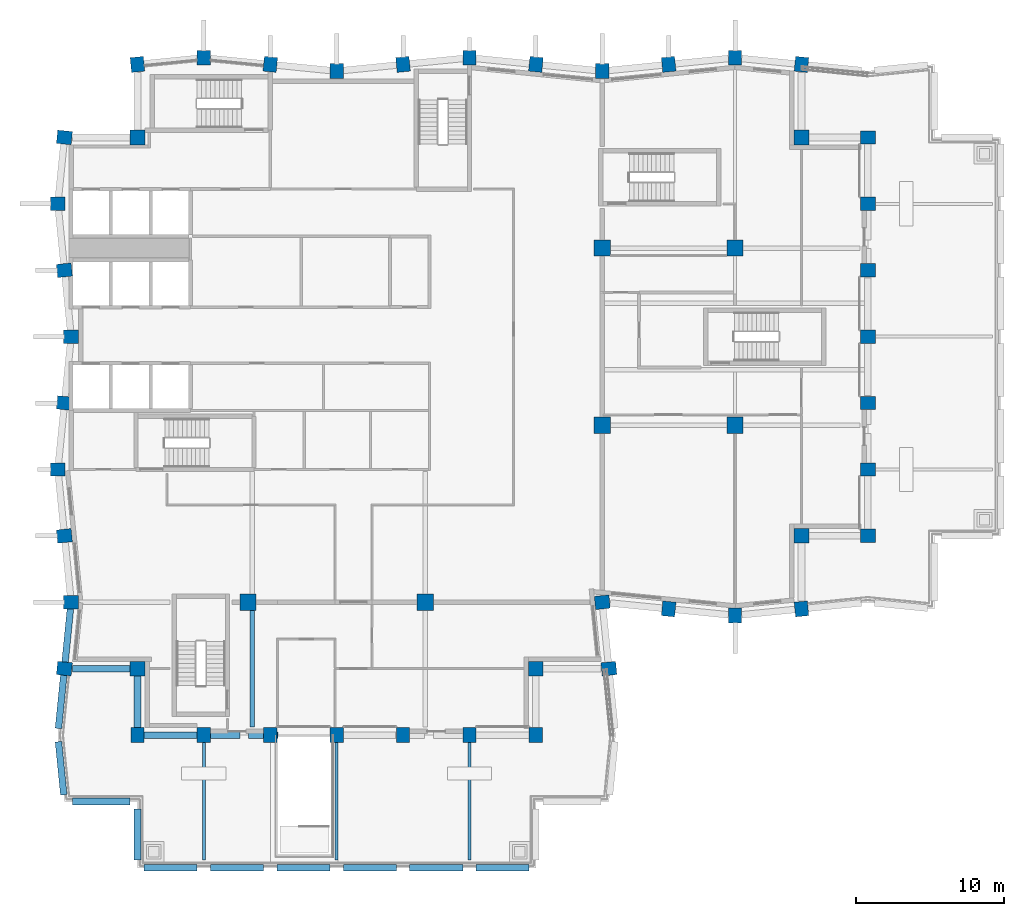
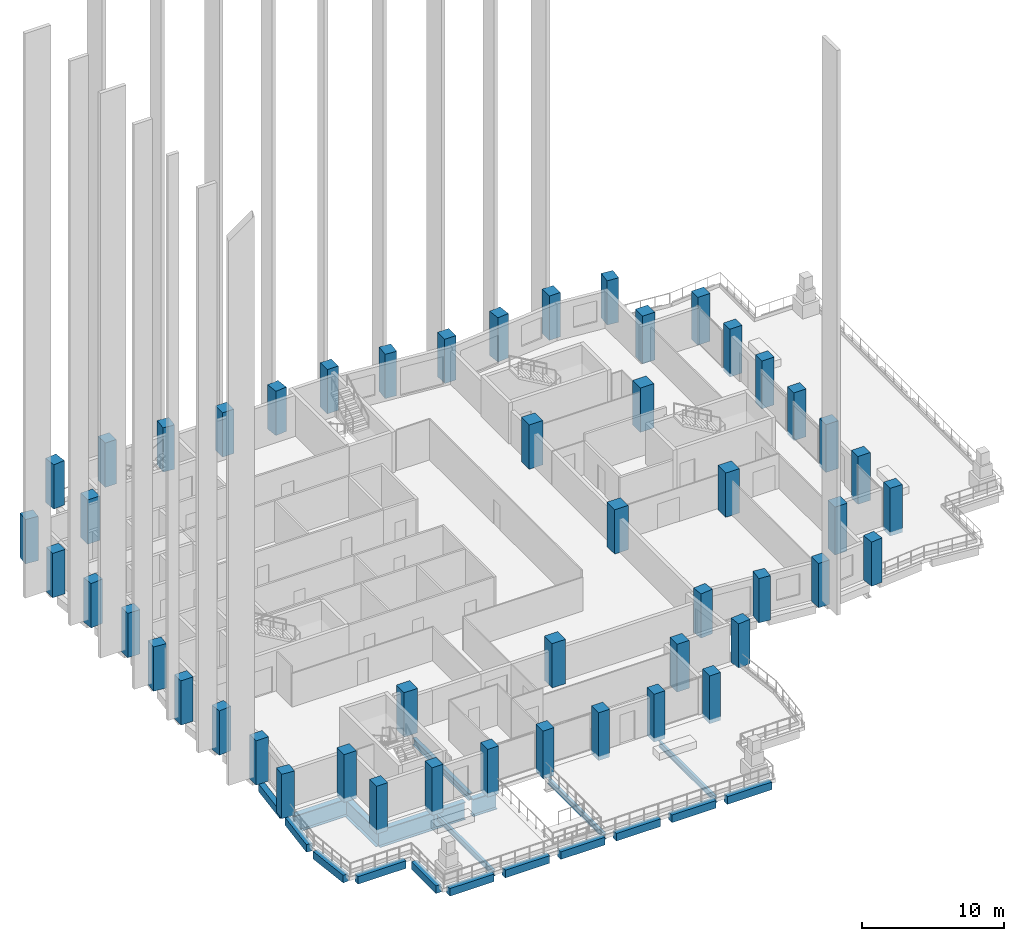
# One storey, part 1 of 19: 50 columns, 20 beams.
"""IFC4 building model written with IfcOpenShell, lengths in metres."""

from ifc_helpers import new_model, si_unit, direction, frame, origin, origin_2d, place, context, subcontext, project, spatial, rectangle, i_section, extrude, material, material_profile, profile_set, type_object, element, save


model = new_model("IFC4")

# Units and contexts
model_context = context("Model", 3, precision=1e-05, world=origin(), true_north=direction((0.0, 1.0)))
body_context = subcontext(model_context, "Body", "Model", "MODEL_VIEW")
ifc_project = project(units=[si_unit("LENGTHUNIT", "METRE"), si_unit("AREAUNIT", "SQUARE_METRE"), si_unit("VOLUMEUNIT", "CUBIC_METRE"), si_unit("PLANEANGLEUNIT", "RADIAN"), si_unit("MASSUNIT", "GRAM", prefix="KILO")], contexts=[model_context])

# Site, building, storey
site_placement = place(None, origin())
site = spatial("IfcSite", under=ifc_project, at=site_placement, CompositionType="ELEMENT")
building_placement = place(site_placement, origin())
building = spatial("IfcBuilding", under=site, at=building_placement, Name="Brondeck Convention Tower", CompositionType="ELEMENT")
storey_placement = place(building_placement, frame((0.0, 0.0, 198.800048828125)))
storey = spatial("IfcBuildingStorey", under=building, at=storey_placement, Name="L48", CompositionType="ELEMENT", Elevation=198.800048828125)

# Columns
ifc_material_1 = material(Name="Concrete C50/60", Category="concrete")
ifc_material_profile_1 = material_profile(ifc_material_1, rectangle(XDim=1.0, YDim=1.0, at=origin_2d()), Name="Corner column 1000x1000 Concrete C50/60")
ifc_profile_set_1 = profile_set([ifc_material_profile_1], Name="Concrete C50/60")
column_type_1 = type_object("IfcColumnType", Name="Corner column 1000x1000 Concrete C50/60", PredefinedType="COLUMN", material=ifc_profile_set_1)
for number, where, z_axis, x_axis, name in (
    (1, (4.5, 22.5, -0.300048828125), (0.0, 0.0, 1.0), (1.0, 0.0, 0.0), "STR-COL-L48-NC-SWB18"),
    (2, (31.5, 22.5, -0.300048828125), (0.0, 0.0, 1.0), (1.0, 0.0, 0.0), "STR-COL-L48-NC-SEB18"),
    (3, (49.5, 31.5, -0.300048828125), (0.0, 0.0, 1.0), (1.0, 0.0, 0.0), "STR-COL-L48-NC-SEA54"),
    (4, (49.5, 58.5, -0.300048828125), (0.0, 0.0, 1.0), (1.0, 0.0, 0.0), "STR-COL-L48-NC-NEA54"),
):
    element("IfcColumn", number, at=place(storey_placement, frame(where, z_axis=z_axis, x_axis=x_axis)), inside=storey, type_object=column_type_1, Name=name, PredefinedType="COLUMN", context=body_context, shape_type="SweptSolid", body=[
        extrude(rectangle(XDim=1.0, YDim=1.0, at=origin_2d()), origin(), (0.0, 0.0, 1.0), 4.10009765625),
    ])
column_placement = place(storey_placement, frame((4.5, 58.5, 0.0), z_axis=(0.0, 0.0, 1.0), x_axis=(1.0, 0.0, 0.0)))
element("IfcColumn", 5, at=column_placement, inside=storey, type_object=column_type_1, Name="STR-COL-L48-NC-NW", PredefinedType="COLUMN", context=body_context, shape_type="SweptSolid", body=[
    extrude(rectangle(XDim=1.0, YDim=1.0, at=origin_2d()), origin(), (0.0, 0.0, 1.0), 3.800048828125),
])
ifc_material_profile_2 = material_profile(ifc_material_1, rectangle(XDim=1.10009765625, YDim=1.10009765625, at=origin_2d()), Name="Interior column 1100x1100 Concrete C50/60")
ifc_profile_set_2 = profile_set([ifc_material_profile_2], Name="Concrete C50/60")
column_type_2 = type_object("IfcColumnType", Name="Interior column 1100x1100 Concrete C50/60", PredefinedType="COLUMN", material=ifc_profile_set_2)
for number, where, z_axis, x_axis, name in (
    (6, (12.0, 27.0, 0.0), (0.0, 0.0, 1.0), (1.0, 0.0, 0.0), "STR-COL-L48-IC-03"),
    (7, (24.0, 27.0, 0.0), (0.0, 0.0, 1.0), (1.0, 0.0, 0.0), "STR-COL-L48-IC-06"),
    (8, (36.0, 39.0, 0.0), (0.0, 0.0, 1.0), (1.0, 0.0, 0.0), "STR-COL-L48-IC-07"),
    (9, (36.0, 51.0, 0.0), (0.0, 0.0, 1.0), (1.0, 0.0, 0.0), "STR-COL-L48-IC-08"),
    (10, (45.0, 39.0, 0.0), (0.0, 0.0, 1.0), (1.0, 0.0, 0.0), "STR-COL-L48-IC-09"),
    (11, (45.0, 51.0, 0.0), (0.0, 0.0, 1.0), (1.0, 0.0, 0.0), "STR-COL-L48-IC-10"),
):
    element("IfcColumn", number, at=place(storey_placement, frame(where, z_axis=z_axis, x_axis=x_axis)), inside=storey, type_object=column_type_2, Name=name, PredefinedType="COLUMN", context=body_context, shape_type="SweptSolid", body=[
        extrude(rectangle(XDim=1.10009765625, YDim=1.10009765625, at=origin_2d()), origin(), (0.0, 0.0, 1.0), 3.800048828125),
    ])
ifc_material_profile_3 = material_profile(ifc_material_1, rectangle(XDim=0.89990234375, YDim=1.0, at=origin_2d()), Name="Perimeter pier 900x1000 Concrete C50/60")
ifc_profile_set_3 = profile_set([ifc_material_profile_3], Name="Concrete C50/60")
column_type_3 = type_object("IfcColumnType", Name="Perimeter pier 900x1000 Concrete C50/60", PredefinedType="COLUMN", material=ifc_profile_set_3)
for number, where, z_axis, x_axis, name in (
    (12, (4.5, 18.0, -0.300048828125), (0.0, 0.0, 1.0), (1.0, 0.0, 0.0), "STR-COL-L48-PC-B-S18-01"),
    (13, (9.0, 18.0, -0.300048828125), (0.0, 0.0, 1.0), (1.0, 0.0, 0.0), "STR-COL-L48-PC-B-S18-02"),
    (14, (13.5, 18.0, -0.300048828125), (0.0, 0.0, 1.0), (1.0, 0.0, 0.0), "STR-COL-L48-PC-B-S18-03"),
    (15, (18.0, 18.0, -0.300048828125), (0.0, 0.0, 1.0), (1.0, 0.0, 0.0), "STR-COL-L48-PC-B-S18-04"),
    (16, (22.5, 18.0, -0.300048828125), (0.0, 0.0, 1.0), (1.0, 0.0, 0.0), "STR-COL-L48-PC-B-S18-05"),
    (17, (27.0, 18.0, -0.300048828125), (0.0, 0.0, 1.0), (1.0, 0.0, 0.0), "STR-COL-L48-PC-B-S18-06"),
    (18, (31.5, 18.0, -0.300048828125), (0.0, 0.0, 1.0), (1.0, 0.0, 0.0), "STR-COL-L48-PC-B-S18-07"),
):
    element("IfcColumn", number, at=place(storey_placement, frame(where, z_axis=z_axis, x_axis=x_axis)), inside=storey, type_object=column_type_3, Name=name, PredefinedType="COLUMN", context=body_context, shape_type="SweptSolid", body=[
        extrude(rectangle(XDim=0.89990234375, YDim=1.0, at=origin_2d()), origin(), (0.0, 0.0, 1.0), 4.10009765625),
    ])
for number, where, z_axis, x_axis, name in (
    (19, (36.449951171875, 22.5, 0.0), (0.0, 0.0, 1.0), (-0.0995038382, 0.995037178292, 0.0), "STR-COL-L48-PC-B-E-01"),
    (20, (36.0, 27.0, 0.0), (0.0, 0.0, 1.0), (-0.0995038382, 0.995037178292, 0.0), "STR-COL-L48-PC-B-E-00"),
    (21, (40.5, 26.550048828125, 0.0), (0.0, 0.0, 1.0), (0.995037178292, -0.0995038382, 0.0), "STR-COL-L48-PC-A-S-01"),
    (22, (45.0, 26.10009765625, 0.0), (0.0, 0.0, 1.0), (1.0, 0.0, 0.0), "STR-COL-L48-PC-A-S-02"),
    (23, (49.5, 26.550048828125, 0.0), (0.0, 0.0, 1.0), (0.995037178292, 0.0995038382, 0.0), "STR-COL-L48-PC-A-S-03"),
):
    element("IfcColumn", number, at=place(storey_placement, frame(where, z_axis=z_axis, x_axis=x_axis)), inside=storey, type_object=column_type_3, Name=name, PredefinedType="COLUMN", context=body_context, shape_type="SweptSolid", body=[
        extrude(rectangle(XDim=0.89990234375, YDim=1.0, at=origin_2d()), origin(), (0.0, 0.0, 1.0), 3.800048828125),
    ])
for number, where, z_axis, x_axis, name in (
    (24, (54.0, 31.5, -0.300048828125), (0.0, 0.0, 1.0), (0.0, 1.0, 0.0), "STR-COL-L48-PC-A-E54-01"),
    (25, (54.0, 36.0, -0.300048828125), (0.0, 0.0, 1.0), (0.0, 1.0, 0.0), "STR-COL-L48-PC-A-E54-02"),
    (26, (54.0, 40.5, -0.300048828125), (0.0, 0.0, 1.0), (0.0, 1.0, 0.0), "STR-COL-L48-PC-A-E54-03"),
    (27, (54.0, 45.0, -0.300048828125), (0.0, 0.0, 1.0), (0.0, 1.0, 0.0), "STR-COL-L48-PC-A-E54-04"),
    (28, (54.0, 49.5, -0.300048828125), (0.0, 0.0, 1.0), (0.0, 1.0, 0.0), "STR-COL-L48-PC-A-E54-05"),
    (29, (54.0, 54.0, -0.300048828125), (0.0, 0.0, 1.0), (0.0, 1.0, 0.0), "STR-COL-L48-PC-A-E54-06"),
    (30, (54.0, 58.5, -0.300048828125), (0.0, 0.0, 1.0), (0.0, 1.0, 0.0), "STR-COL-L48-PC-A-E54-07"),
):
    element("IfcColumn", number, at=place(storey_placement, frame(where, z_axis=z_axis, x_axis=x_axis)), inside=storey, type_object=column_type_3, Name=name, PredefinedType="COLUMN", context=body_context, shape_type="SweptSolid", body=[
        extrude(rectangle(XDim=0.89990234375, YDim=1.0, at=origin_2d()), origin(), (0.0, 0.0, 1.0), 4.10009765625),
    ])
for number, where, z_axis, x_axis, name in (
    (31, (49.5, 63.449951171875, 0.0), (0.0, 0.0, 1.0), (-0.995037178292, 0.0995038382, 0.0), "STR-COL-L48-PC-A-N-11"),
    (32, (45.0, 63.89990234375, 0.0), (0.0, 0.0, 1.0), (-1.0, 0.0, 0.0), "STR-COL-L48-PC-A-N-10"),
    (33, (40.5, 63.449951171875, 0.0), (0.0, 0.0, 1.0), (-0.995037178292, -0.0995038382, 0.0), "STR-COL-L48-PC-A-N-09"),
    (34, (36.0, 63.0, 0.0), (0.0, 0.0, 1.0), (-1.0, 0.0, 0.0), "STR-COL-L48-PC-A-N-08"),
    (35, (31.5, 63.449951171875, 0.0), (0.0, 0.0, 1.0), (-0.995037178292, 0.0995038382, 0.0), "STR-COL-L48-PC-A-N-07"),
    (36, (27.0, 63.89990234375, 0.0), (0.0, 0.0, 1.0), (-1.0, 0.0, 0.0), "STR-COL-L48-PC-A-N-06"),
    (37, (22.5, 63.449951171875, 0.0), (0.0, 0.0, 1.0), (-0.995037178292, -0.0995038382, 0.0), "STR-COL-L48-PC-A-N-05"),
    (38, (18.0, 63.0, 0.0), (0.0, 0.0, 1.0), (-1.0, 0.0, 0.0), "STR-COL-L48-PC-A-N-04"),
    (39, (13.5, 63.449951171875, 0.0), (0.0, 0.0, 1.0), (-0.995037178292, 0.0995038382, 0.0), "STR-COL-L48-PC-A-N-03"),
    (40, (9.0, 63.89990234375, 0.0), (0.0, 0.0, 1.0), (-1.0, 0.0, 0.0), "STR-COL-L48-PC-A-N-02"),
    (41, (4.5, 63.449951171875, 0.0), (0.0, 0.0, 1.0), (-0.995037178292, -0.0995038382, 0.0), "STR-COL-L48-PC-A-N-01"),
    (42, (-0.449951171875, 58.5, 0.0), (0.0, 0.0, 1.0), (-0.0995038382, -0.995037178292, 0.0), "STR-COL-L48-PC-B-W-01"),
    (43, (-0.89990234375, 54.0, 0.0), (0.0, 0.0, 1.0), (0.0, -1.0, 0.0), "STR-COL-L48-PC-B-W-02"),
    (44, (-0.449951171875, 49.5, 0.0), (0.0, 0.0, 1.0), (0.0995038382, -0.995037178292, 0.0), "STR-COL-L48-PC-B-W-03"),
    (45, (0.0, 45.0, 0.0), (0.0, 0.0, 1.0), (0.0, -1.0, 0.0), "STR-COL-L48-PC-B-W-04"),
    (46, (-0.449951171875, 40.5, 0.0), (0.0, 0.0, 1.0), (-0.0995038382, -0.995037178292, 0.0), "STR-COL-L48-PC-B-W-05"),
    (47, (-0.89990234375, 36.0, 0.0), (0.0, 0.0, 1.0), (0.0, -1.0, 0.0), "STR-COL-L48-PC-B-W-06"),
    (48, (-0.449951171875, 31.5, 0.0), (0.0, 0.0, 1.0), (0.0995038382, -0.995037178292, 0.0), "STR-COL-L48-PC-B-W-07"),
    (49, (0.0, 27.0, 0.0), (0.0, 0.0, 1.0), (0.0, -1.0, 0.0), "STR-COL-L48-PC-B-W-08"),
    (50, (-0.449951171875, 22.5, 0.0), (0.0, 0.0, 1.0), (-0.0995038382, -0.995037178292, 0.0), "STR-COL-L48-PC-B-W-09"),
):
    element("IfcColumn", number, at=place(storey_placement, frame(where, z_axis=z_axis, x_axis=x_axis)), inside=storey, type_object=column_type_3, Name=name, PredefinedType="COLUMN", context=body_context, shape_type="SweptSolid", body=[
        extrude(rectangle(XDim=0.89990234375, YDim=1.0, at=origin_2d()), origin(), (0.0, 0.0, 1.0), 3.800048828125),
    ])

# Beams
ifc_material_2 = material(Name="Steel S355", Category="steel")
ifc_material_profile_4 = material_profile(ifc_material_2, i_section(OverallWidth=0.199951171875, OverallDepth=0.5, WebThickness=0.01025390625, FlangeThickness=0.01611328125, FilletRadius=0.02099609375, at=origin_2d()), Name="IPE 500")
ifc_profile_set_4 = profile_set([ifc_material_profile_4], Name="Steel S355")
beam_type_1 = type_object("IfcBeamType", Name="Floor beam IPE 500", PredefinedType="BEAM", material=ifc_profile_set_4)
for number, where, z_axis, x_axis, name in (
    (51, (9.0, 9.550048828125, -0.550048828125), (0.0, 1.0, 0.0), (-1.0, 0.0, 0.0), "STR-FB-L48T1-001"),
    (52, (18.0, 9.550048828125, -0.550048828125), (0.0, 1.0, 0.0), (-1.0, 0.0, 0.0), "STR-FB-L48T1-002"),
    (53, (27.0, 9.550048828125, -0.550048828125), (0.0, 1.0, 0.0), (-1.0, 0.0, 0.0), "STR-FB-L48T1-003"),
):
    element("IfcBeam", number, at=place(storey_placement, frame(where, z_axis=z_axis, x_axis=x_axis)), inside=storey, type_object=beam_type_1, Name=name, PredefinedType="BEAM", context=body_context, shape_type="SweptSolid", body=[
        extrude(i_section(OverallWidth=0.199951171875, OverallDepth=0.5, WebThickness=0.01025390625, FlangeThickness=0.01611328125, FilletRadius=0.02099609375, at=origin_2d()), origin(), (0.0, 0.0, 1.0), 7.949951171875),
    ])
ifc_material_profile_5 = material_profile(ifc_material_2, i_section(OverallWidth=0.300048828125, OverallDepth=0.60009765625, WebThickness=0.015380859375, FlangeThickness=0.030029296875, FilletRadius=0.027099609375, at=origin_2d()), Name="HEB 600")
ifc_profile_set_5 = profile_set([ifc_material_profile_5], Name="Steel S355")
beam_type_2 = type_object("IfcBeamType", Name="Girder HEB 600", PredefinedType="BEAM", material=ifc_profile_set_5)
beam_1_placement = place(storey_placement, frame((12.27001953125, 26.449951171875, -0.60009765625), z_axis=(0.0, -1.0, 0.0), x_axis=(1.0, 0.0, 0.0)))
element("IfcBeam", 54, at=beam_1_placement, inside=storey, type_object=beam_type_2, Name="STR-GR-L48-010", PredefinedType="BEAM", context=body_context, shape_type="SweptSolid", body=[
    extrude(i_section(OverallWidth=0.300048828125, OverallDepth=0.60009765625, WebThickness=0.015380859375, FlangeThickness=0.030029296875, FilletRadius=0.027099609375, at=origin_2d()), origin(), (0.0, 0.0, 1.0), 7.89990234375),
])
ifc_material_profile_6 = material_profile(ifc_material_1, rectangle(XDim=0.449951171875, YDim=0.64990234375, at=origin_2d()), Name="Precast spandrel 450x650 Concrete C50/60")
ifc_profile_set_6 = profile_set([ifc_material_profile_6], Name="Concrete C50/60")
beam_type_3 = type_object("IfcBeamType", Name="Precast spandrel 450x650 Concrete C50/60", PredefinedType="SPANDREL", material=ifc_profile_set_6)
beam_2_placement = place(storey_placement, frame((-0.044921875, 26.550048828125, -0.324951171875), z_axis=(-0.099537103649, -0.995033851182, 0.0), x_axis=(0.995033851182, -0.099537103649, 0.0)))
element("IfcBeam", 55, at=beam_2_placement, inside=storey, type_object=beam_type_3, Name="STR-SP-L48-024", PredefinedType="SPANDREL", context=body_context, shape_type="SweptSolid", body=[
    extrude(rectangle(XDim=0.449951171875, YDim=0.64990234375, at=origin_2d()), origin(), (0.0, 0.0, 1.0), 3.620361328125),
])
for number, where, z_axis, x_axis, name in (
    (56, (31.050048828125, 9.0, -0.324951171875), (-1.0, 0.0, 0.0), (0.0, -1.0, 0.0), "STR-SP-L48T1-004"),
    (57, (26.550048828125, 9.0, -0.324951171875), (-1.0, 0.0, 0.0), (0.0, -1.0, 0.0), "STR-SP-L48T1-005"),
    (58, (22.050048828125, 9.0, -0.324951171875), (-1.0, 0.0, 0.0), (0.0, -1.0, 0.0), "STR-SP-L48T1-006"),
    (59, (17.550048828125, 9.0, -0.324951171875), (-1.0, 0.0, 0.0), (0.0, -1.0, 0.0), "STR-SP-L48T1-007"),
    (60, (13.050048828125, 9.0, -0.324951171875), (-1.0, 0.0, 0.0), (0.0, -1.0, 0.0), "STR-SP-L48T1-008"),
    (61, (8.550048828125, 9.0, -0.324951171875), (-1.0, 0.0, 0.0), (0.0, -1.0, 0.0), "STR-SP-L48T1-009"),
):
    element("IfcBeam", number, at=place(storey_placement, frame(where, z_axis=z_axis, x_axis=x_axis)), inside=storey, type_object=beam_type_3, Name=name, PredefinedType="SPANDREL", context=body_context, shape_type="SweptSolid", body=[
        extrude(rectangle(XDim=0.449951171875, YDim=0.64990234375, at=origin_2d()), origin(), (0.0, 0.0, 1.0), 3.60009765625),
    ])
beam_3_placement = place(storey_placement, frame((4.5, 9.550048828125, -0.324951171875), z_axis=(0.0, 1.0, 0.0), x_axis=(-1.0, 0.0, 0.0)))
element("IfcBeam", 62, at=beam_3_placement, inside=storey, type_object=beam_type_3, Name="STR-SP-L48T1-010", PredefinedType="SPANDREL", context=body_context, shape_type="SweptSolid", body=[
    extrude(rectangle(XDim=0.449951171875, YDim=0.64990234375, at=origin_2d()), origin(), (0.0, 0.0, 1.0), 3.449951171875),
])
beam_4_placement = place(storey_placement, frame((4.0, 13.5, -0.324951171875), z_axis=(-1.0, 0.0, 0.0), x_axis=(0.0, -1.0, 0.0)))
element("IfcBeam", 63, at=beam_4_placement, inside=storey, type_object=beam_type_3, Name="STR-SP-L48T1-011", PredefinedType="SPANDREL", context=body_context, shape_type="SweptSolid", body=[
    extrude(rectangle(XDim=0.449951171875, YDim=0.64990234375, at=origin_2d()), origin(), (0.0, 0.0, 1.0), 3.897216796875),
])
for number, where, z_axis, x_axis, name in (
    (64, (-0.494873046875, 13.94775390625, -0.324951171875), (-0.099470334057, 0.995040528141, 0.0), (-0.995040528141, -0.099470334057, 0.0), "STR-SP-L48T1-012"),
    (65, (-0.85498046875, 18.449951171875, -0.324951171875), (0.099470334057, 0.995040528141, 0.0), (-0.995040528141, 0.099470334057, 0.0), "STR-SP-L48T1-013"),
):
    element("IfcBeam", number, at=place(storey_placement, frame(where, z_axis=z_axis, x_axis=x_axis)), inside=storey, type_object=beam_type_3, Name=name, PredefinedType="SPANDREL", context=body_context, shape_type="SweptSolid", body=[
        extrude(rectangle(XDim=0.449951171875, YDim=0.64990234375, at=origin_2d()), origin(), (0.0, 0.0, 1.0), 3.620361328125),
    ])
ifc_material_3 = material(Name="Steel S460", Category="steel")
ifc_material_profile_7 = material_profile(ifc_material_3, i_section(OverallWidth=0.449951171875, OverallDepth=1.5, WebThickness=0.02490234375, FlangeThickness=0.044921875, at=origin_2d()), Name="PG 1500x450")
ifc_profile_set_7 = profile_set([ifc_material_profile_7], Name="Steel S460")
beam_type_4 = type_object("IfcBeamType", Name="Transfer girder PG 1500x450", PredefinedType="BEAM", material=ifc_profile_set_7)
beam_5_placement = place(storey_placement, frame((0.102783203125, 22.5, -1.050048828125), z_axis=(1.0, 0.0, 0.0), x_axis=(0.0, 1.0, 0.0)))
element("IfcBeam", 66, at=beam_5_placement, inside=storey, type_object=beam_type_4, Name="Setback transfer girder PG-L48-1", PredefinedType="BEAM", context=body_context, shape_type="SweptSolid", body=[
    extrude(i_section(OverallWidth=0.449951171875, OverallDepth=1.5, WebThickness=0.02490234375, FlangeThickness=0.044921875, at=origin_2d()), origin(), (0.0, 0.0, 1.0), 4.397216796875),
])
for number, where, z_axis, x_axis, name in (
    (67, (4.5, 22.5, -1.050048828125), (0.0, -1.0, 0.0), (1.0, 0.0, 0.0), "Setback transfer girder PG-L48-2"),
    (68, (4.5, 18.0, -1.050048828125), (1.0, 0.0, 0.0), (0.0, 1.0, 0.0), "Setback transfer girder PG-L48-3"),
):
    element("IfcBeam", number, at=place(storey_placement, frame(where, z_axis=z_axis, x_axis=x_axis)), inside=storey, type_object=beam_type_4, Name=name, PredefinedType="BEAM", context=body_context, shape_type="SweptSolid", body=[
        extrude(i_section(OverallWidth=0.449951171875, OverallDepth=1.5, WebThickness=0.02490234375, FlangeThickness=0.044921875, at=origin_2d()), origin(), (0.0, 0.0, 1.0), 4.5),
    ])
beam_6_placement = place(storey_placement, frame((9.0, 18.0, -1.050048828125), z_axis=(1.0, 0.0, 0.0), x_axis=(0.0, 1.0, 0.0)))
element("IfcBeam", 69, at=beam_6_placement, inside=storey, type_object=beam_type_4, Name="Setback transfer girder PG-L48-4", PredefinedType="BEAM", context=body_context, shape_type="SweptSolid", body=[
    extrude(i_section(OverallWidth=0.449951171875, OverallDepth=1.5, WebThickness=0.02490234375, FlangeThickness=0.044921875, at=origin_2d()), origin(), (0.0, 0.0, 1.0), 2.449951171875),
])
beam_7_placement = place(storey_placement, frame((12.0400390625, 18.0, -1.050048828125), z_axis=(1.0, 0.0, 0.0), x_axis=(0.0, 1.0, 0.0)))
element("IfcBeam", 70, at=beam_7_placement, inside=storey, type_object=beam_type_4, Name="Setback transfer girder PG-L48-5", PredefinedType="BEAM", context=body_context, shape_type="SweptSolid", body=[
    extrude(i_section(OverallWidth=0.449951171875, OverallDepth=1.5, WebThickness=0.02490234375, FlangeThickness=0.044921875, at=origin_2d()), origin(), (0.0, 0.0, 1.0), 1.969970703125),
])

save(model, "model.ifc")
